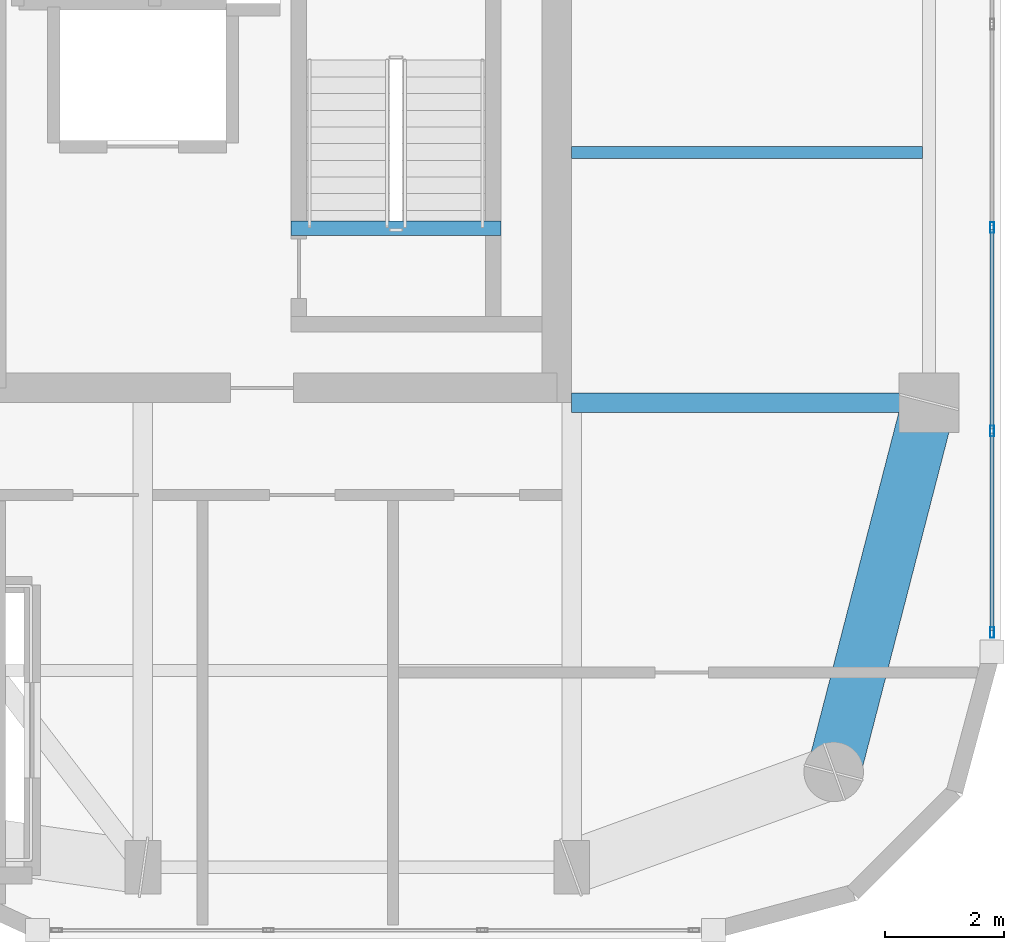
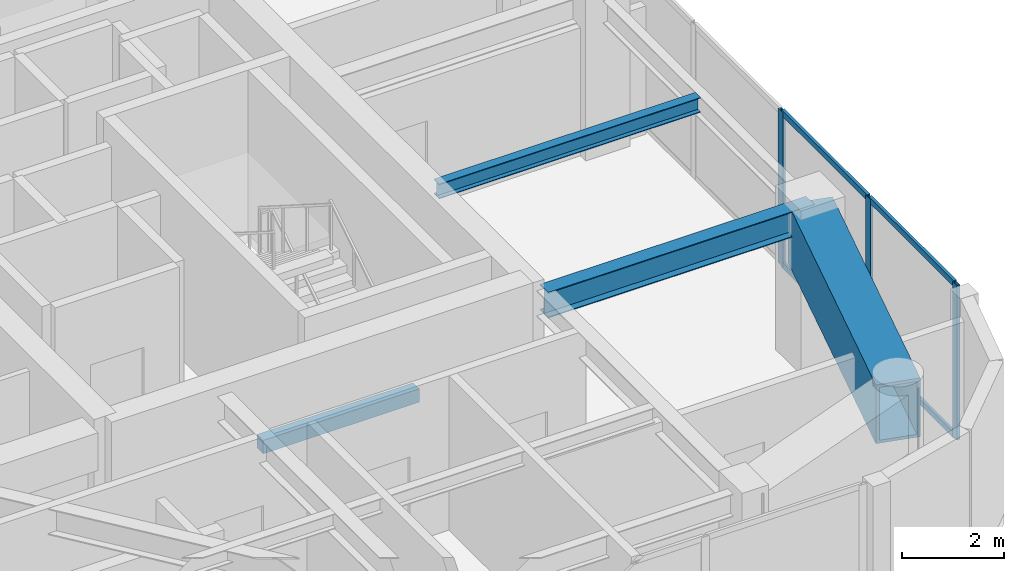
# One storey, part 5 of 16: 7 members, 4 beams, 1 element without a shape of its own.
"""IFC4 building model written with IfcOpenShell, lengths in metres."""

import ifcopenshell
import ifcopenshell.guid

model = None  # the IFC model being written
_history = None  # IfcOwnerHistory: only IFC2X3 demands one
_inside = {}  # id of a spatial element -> (the spatial element, [elements in it])
_under = {}  # id of a project, library or spatial element -> (it, [spatial elements below it])
_declared = {}  # id of a project -> (the project, [libraries it declares])
_typed = {}  # id of a type object -> (the type object, [elements of that type])
_made_of = {}  # id of a material, layer set ... -> (it, [elements and type objects made of it])


def new_model(schema):
    """Start an empty IFC model of exactly this schema.

    Asked for "IFC4X3", IfcOpenShell would pick the latest addendum, in which some entities
    have other attributes; the version numbers below select the first issue.
    IFC2X3 requires an IfcOwnerHistory on every rooted entity: one is made here for all.
    """
    global model, _history
    if schema == "IFC4X3":
        model = ifcopenshell.file(schema_version=(4, 3, 0, 0))
    else:
        model = ifcopenshell.file(schema=schema)
    _inside.clear()
    _under.clear()
    _declared.clear()
    _typed.clear()
    _made_of.clear()
    _history = None
    if model.schema == "IFC2X3":
        org = make("IfcOrganization", Name="unknown")
        user = make(
            "IfcPersonAndOrganization",
            ThePerson=make("IfcPerson", FamilyName="unknown"),
            TheOrganization=org,
        )
        app = make(
            "IfcApplication",
            ApplicationDeveloper=org,
            Version="unknown",
            ApplicationFullName="unknown",
            ApplicationIdentifier="unknown",
        )
        _history = make(
            "IfcOwnerHistory",
            OwningUser=user,
            OwningApplication=app,
            ChangeAction="ADDED",
            CreationDate=0,
        )
    return model


def make(cls, **values):
    """One entity of the class cls with the attributes given. An attribute that is None is left unset."""
    return model.create_entity(
        cls, **{name: value for name, value in values.items() if value is not None}
    )


def rooted(cls, **values):
    """An entity with a GlobalId (a new one), such as an element, a storey or a relation."""
    return make(cls, GlobalId=ifcopenshell.guid.new(), OwnerHistory=_history, **values)


def si_unit(unit_type, name, prefix=None):
    """IfcSIUnit, for example si_unit("LENGTHUNIT", "METRE", prefix="MILLI")."""
    return make("IfcSIUnit", UnitType=unit_type, Prefix=prefix, Name=name)


def assignment(units):
    """IfcUnitAssignment: the units of a project."""
    return None if units is None else make("IfcUnitAssignment", Units=units)


def point(xyz):
    """IfcCartesianPoint."""
    return None if xyz is None else make("IfcCartesianPoint", Coordinates=xyz)


def direction(xyz):
    """IfcDirection."""
    return None if xyz is None else make("IfcDirection", DirectionRatios=xyz)


def frame(location, z_axis=None, x_axis=None):
    """IfcAxis2Placement3D, a coordinate frame: its origin and axes. An axis left out is left unset."""
    return make(
        "IfcAxis2Placement3D",
        Location=point(location),
        Axis=direction(z_axis),
        RefDirection=direction(x_axis),
    )


def frame_2d(location, x_axis=None):
    """IfcAxis2Placement2D, a coordinate frame in the plane: its origin and x axis."""
    return make(
        "IfcAxis2Placement2D", Location=point(location), RefDirection=direction(x_axis)
    )


def origin():
    """The frame at (0, 0, 0) with its axes left unset."""
    return frame((0.0, 0.0, 0.0))


def origin_2d():
    """The frame at (0, 0) in the plane with its x axis left unset."""
    return frame_2d((0.0, 0.0))


def place(relative_to, where):
    """IfcLocalPlacement: puts the frame where relative to a parent placement (None: the world)."""
    return make(
        "IfcLocalPlacement", PlacementRelTo=relative_to, RelativePlacement=where
    )


def context(
    kind, dimensions, precision=None, world=None, true_north=None, identifier=None
):
    """IfcGeometricRepresentationContext, for example the 3D "Model" context."""
    return make(
        "IfcGeometricRepresentationContext",
        ContextIdentifier=identifier,
        ContextType=kind,
        CoordinateSpaceDimension=dimensions,
        Precision=precision,
        WorldCoordinateSystem=world,
        TrueNorth=true_north,
    )


def subcontext(parent, identifier, kind, view, scale=None):
    """IfcGeometricRepresentationSubContext, for example "Body" below "Model"."""
    return make(
        "IfcGeometricRepresentationSubContext",
        ContextIdentifier=identifier,
        ContextType=kind,
        ParentContext=parent,
        TargetScale=scale,
        TargetView=view,
    )


def project(units=None, contexts=None):
    """IfcProject with its units and contexts."""
    return rooted(
        "IfcProject",
        Name="project",
        RepresentationContexts=contexts,
        UnitsInContext=assignment(units),
    )


def spatial(cls, under=None, at=None, **own):
    """A site, building, storey or space (cls), placed at a placement, below another one or the project."""
    s = rooted(cls, ObjectPlacement=at, **own)
    if under is not None:
        _under.setdefault(under.id(), (under, []))[1].append(s)
    return s


def profile(cls, at=None, kind="AREA", **sizes):
    """A parametric profile (cls). Its sizes go by their IFC names, for example OverallWidth=200.0."""
    return make(cls, ProfileType=kind, Position=at, **sizes)


def rectangle(**sizes):
    """IfcRectangleProfileDef."""
    return profile("IfcRectangleProfileDef", **sizes)


def hollow_rectangle(**sizes):
    """IfcRectangleHollowProfileDef."""
    return profile("IfcRectangleHollowProfileDef", **sizes)


def i_section(**sizes):
    """IfcIShapeProfileDef."""
    return profile("IfcIShapeProfileDef", **sizes)


def extrude(swept, where, along, depth):
    """IfcExtrudedAreaSolid: the profile swept, set in the frame where, extruded along a direction by depth."""
    return make(
        "IfcExtrudedAreaSolid",
        SweptArea=swept,
        Position=where,
        ExtrudedDirection=direction(along),
        Depth=depth,
    )


def shape(context_of_items, identifier, shape_type, items):
    """IfcShapeRepresentation: the items that make up one representation, for example the "Body"."""
    return make(
        "IfcShapeRepresentation",
        ContextOfItems=context_of_items,
        RepresentationIdentifier=identifier,
        RepresentationType=shape_type,
        Items=items,
    )


def material(Name=None, Category=None):
    """IfcMaterial."""
    return make("IfcMaterial", Name=Name, Category=Category)


def layer(
    of_material, thickness, ventilated=None, Name=None, Category=None, Priority=None
):
    """IfcMaterialLayer: one layer of a wall or slab, of a material (None: an air gap)."""
    return make(
        "IfcMaterialLayer",
        Material=of_material,
        LayerThickness=thickness,
        IsVentilated=ventilated,
        Name=Name,
        Category=Category,
        Priority=Priority,
    )


def layer_set(layers, Name=None):
    """IfcMaterialLayerSet."""
    return make("IfcMaterialLayerSet", MaterialLayers=layers, LayerSetName=Name)


def material_profile(
    of_material, cross_section, Name=None, Category=None, Priority=None
):
    """IfcMaterialProfile: a cross section and its material."""
    return make(
        "IfcMaterialProfile",
        Name=Name,
        Material=of_material,
        Profile=cross_section,
        Priority=Priority,
        Category=Category,
    )


def profile_set(profiles, Name=None, composite=None):
    """IfcMaterialProfileSet."""
    return make(
        "IfcMaterialProfileSet",
        Name=Name,
        MaterialProfiles=profiles,
        CompositeProfile=composite,
    )


def made_of(thing, what):
    """Note that an element or type object is made of a material, layer set ...; save() writes the relation."""
    if what is not None:
        _made_of.setdefault(what.id(), (what, []))[1].append(thing)
    return thing


def type_object(cls, material=None, **own):
    """A type object (cls), such as IfcWallType, which elements share."""
    return made_of(rooted(cls, **own), material)


def element(
    cls,
    number,
    at=None,
    inside=None,
    cuts=None,
    type_object=None,
    material=None,
    context=None,
    identifier="Body",
    shape_type=None,
    held_by="IfcProductDefinitionShape",
    body=None,
    shapes=None,
    **own,
):
    """One element of the class cls, such as IfcWall. Its Tag is "e" and its number.

    at: its placement. inside: the storey or other place that contains it. cuts: it is an
    opening in that element (IfcRelVoidsElement). A single representation is given by context,
    identifier, shape_type and body (its items); several are given by shapes. held_by: the class
    of the entity that holds the representations. save() writes the other relations.
    """
    e = rooted(cls, Tag="e%d" % number, ObjectPlacement=at, **own)
    if body is not None:
        shapes = [shape(context, identifier, shape_type, body)]
    if shapes is not None:
        e.Representation = make(held_by, Representations=shapes)
    if inside is not None:
        _inside.setdefault(inside.id(), (inside, []))[1].append(e)
    if cuts is not None:
        rooted(
            "IfcRelVoidsElement", RelatingBuildingElement=cuts, RelatedOpeningElement=e
        )
    if type_object is not None:
        _typed.setdefault(type_object.id(), (type_object, []))[1].append(e)
    return made_of(e, material)


def aggregate(whole, parts):
    """IfcRelAggregates: a whole, such as a stair, and the parts it consists of."""
    return rooted("IfcRelAggregates", RelatingObject=whole, RelatedObjects=parts)


def save(model, path):
    """Write the relations noted so far, then the file.

    IfcRelAggregates (storeys below a building ...), IfcRelContainedInSpatialStructure (elements
    in a storey), IfcRelDefinesByType, IfcRelAssociatesMaterial and IfcRelDeclares: one each for
    every whole, place, type object, material and project.
    """
    for whole, parts in _under.values():
        aggregate(whole, parts)
    for where, things in _inside.values():
        rooted(
            "IfcRelContainedInSpatialStructure",
            RelatedElements=things,
            RelatingStructure=where,
        )
    for kind, things in _typed.values():
        rooted("IfcRelDefinesByType", RelatedObjects=things, RelatingType=kind)
    for what, things in _made_of.values():
        rooted("IfcRelAssociatesMaterial", RelatedObjects=things, RelatingMaterial=what)
    for by, libraries in _declared.values():
        rooted("IfcRelDeclares", RelatingContext=by, RelatedDefinitions=libraries)
    model.write(path)


model = new_model("IFC4")

# Units and contexts
model_context = context("Model", 3, precision=1e-05, world=origin(), true_north=direction((0.0, 1.0)))
body_context = subcontext(model_context, "Body", "Model", "MODEL_VIEW")
ifc_project = project(units=[si_unit("LENGTHUNIT", "METRE"), si_unit("AREAUNIT", "SQUARE_METRE"), si_unit("VOLUMEUNIT", "CUBIC_METRE"), si_unit("PLANEANGLEUNIT", "RADIAN"), si_unit("MASSUNIT", "GRAM", prefix="KILO")], contexts=[model_context])

# Site, building, storey
site_placement = place(None, origin())
site = spatial("IfcSite", under=ifc_project, at=site_placement, CompositionType="ELEMENT")
building_placement = place(site_placement, origin())
building = spatial("IfcBuilding", under=site, at=building_placement, Name="Kiyonajd Concourse Tower", CompositionType="ELEMENT")
storey_placement = place(building_placement, frame((0.0, 0.0, 298.5)))
storey = spatial("IfcBuildingStorey", under=building, at=storey_placement, Name="L75", CompositionType="ELEMENT", Elevation=298.5)

# Beams
ifc_material_1 = material(Name="Steel ASTM A992 Grade 50", Category="steel")
ifc_material_profile_1 = material_profile(ifc_material_1, i_section(OverallWidth=0.205078125, OverallDepth=0.35400390625, WebThickness=0.009521484375, FlangeThickness=0.016845703125, at=origin_2d()), Name="W360X79")
ifc_profile_set_1 = profile_set([ifc_material_profile_1], Name="Steel ASTM A992 Grade 50")
beam_type_1 = type_object("IfcBeamType", Name="BM-JST-360", PredefinedType="JOIST", material=ifc_profile_set_1)
beam_1_placement = place(storey_placement, frame((63.60009765625, 31.800048828125, 3.5029296875), z_axis=(1.0, 0.0, 0.0), x_axis=(0.0, 1.0, 0.0)))
element("IfcBeam", 1, at=beam_1_placement, inside=storey, type_object=beam_type_1, Name="L75 East Secondary Floor Joist", PredefinedType="JOIST", context=body_context, shape_type="SweptSolid", body=[
    extrude(i_section(OverallWidth=0.205078125, OverallDepth=0.35400390625, WebThickness=0.009521484375, FlangeThickness=0.016845703125, at=origin_2d()), origin(), (0.0, 0.0, 1.0), 5.894287109375),
])
ifc_material_2 = material(Name="Concrete C50/60", Category="concrete")
ifc_material_profile_2 = material_profile(ifc_material_2, rectangle(XDim=0.239990234375, YDim=0.320068359375, at=origin_2d()), Name="RCBM-240x320")
ifc_profile_set_2 = profile_set([ifc_material_profile_2], Name="Concrete C50/60")
beam_type_2 = type_object("IfcBeamType", Name="BM-LNT-250", PredefinedType="LINTEL", material=ifc_profile_set_2)
beam_2_placement = place(storey_placement, frame((58.889892578125, 30.530029296875, -0.159912109375), z_axis=(1.0, 0.0, 0.0), x_axis=(0.0, 1.0, 0.0)))
element("IfcBeam", 2, at=beam_2_placement, inside=storey, type_object=beam_type_2, Name="L75 Stair ST2 Threshold Support Beam", PredefinedType="LINTEL", context=body_context, shape_type="SweptSolid", body=[
    extrude(rectangle(XDim=0.239990234375, YDim=0.320068359375, at=origin_2d()), origin(), (0.0, 0.0, 1.0), 3.52001953125),
])
ifc_material_profile_3 = material_profile(ifc_material_1, i_section(OverallWidth=0.323974609375, OverallDepth=0.611083984375, WebThickness=0.0126953125, FlangeThickness=0.01904296875, at=origin_2d()), Name="W610X155")
ifc_profile_set_3 = profile_set([ifc_material_profile_3], Name="Steel ASTM A992 Grade 50")
beam_type_3 = type_object("IfcBeamType", Name="BM-TWR-610B", PredefinedType="BEAM", material=ifc_profile_set_3)
beam_3_placement = place(storey_placement, frame((63.60009765625, 27.60009765625, 3.37451171875), z_axis=(1.0, 0.0, 0.0), x_axis=(0.0, 1.0, 0.0)))
element("IfcBeam", 3, at=beam_3_placement, inside=storey, type_object=beam_type_3, Name="L75 East Lease Girder", PredefinedType="BEAM", context=body_context, shape_type="SweptSolid", body=[
    extrude(i_section(OverallWidth=0.323974609375, OverallDepth=0.611083984375, WebThickness=0.0126953125, FlangeThickness=0.01904296875, at=origin_2d()), origin(), (0.0, 0.0, 1.0), 6.0),
])
ifc_material_3 = material(Name="Steel ASTM A572 Grade 50", Category="steel")
ifc_material_profile_4 = material_profile(ifc_material_3, hollow_rectangle(XDim=0.89990234375, YDim=1.39990234375, WallThickness=0.070068359375, at=origin_2d()), Name="BOX-1400x900x70")
ifc_profile_set_4 = profile_set([ifc_material_profile_4], Name="Steel ASTM A572 Grade 50")
beam_type_4 = type_object("IfcBeamType", Name="BM-XFER-1400", PredefinedType="BEAM", material=ifc_profile_set_4)
beam_4_placement = place(storey_placement, frame((68.0, 21.39990234375, 2.97998046875), z_axis=(0.249884937687, 0.968275538221, 0.0), x_axis=(-0.968275538221, 0.249884937687, 0.0)))
element("IfcBeam", 4, at=beam_4_placement, inside=storey, type_object=beam_type_4, Name="L75 Perimeter Bundled Tube Spandrel", PredefinedType="BEAM", context=body_context, shape_type="SweptSolid", body=[
    extrude(hollow_rectangle(XDim=0.89990234375, YDim=1.39990234375, WallThickness=0.070068359375, at=origin_2d()), origin(), (0.0, 0.0, 1.0), 6.4033203125),
])

# Curtain wall, members
ifc_material_4 = material(Name="Thermally Broken Anodised Aluminium", Category="aluminium")
ifc_layer = layer(ifc_material_4, 0.179931640625)
ifc_layer_set = layer_set([ifc_layer], Name="Thermally Broken Anodised Aluminium")
curtain_wall_type = type_object("IfcCurtainWallType", Name="CW-SYS-04", PredefinedType="NOTDEFINED", material=ifc_layer_set)
curtain_wall_placement = place(storey_placement, origin())
curtain_wall = element("IfcCurtainWall", 5, at=curtain_wall_placement, inside=storey, type_object=curtain_wall_type, Name="L75 Unitised Curtain Wall CW4", PredefinedType="NOTDEFINED")
ifc_material_profile_5 = material_profile(ifc_material_4, hollow_rectangle(XDim=0.06494140625, YDim=0.179931640625, WallThickness=0.00390625, at=origin_2d()), Name="MULL-65x180")
ifc_profile_set_5 = profile_set([ifc_material_profile_5], Name="Thermally Broken Anodised Aluminium")
member_type_1 = type_object("IfcMemberType", Name="MB-CW-MULL1", PredefinedType="MULLION", material=ifc_profile_set_5)
member_1_placement = place(storey_placement, frame((70.659912109375, 30.539306640625, 0.0), z_axis=(0.0, 0.0, 1.0), x_axis=(1.0, 0.0, 0.0)))
member_1 = element("IfcMember", 6, at=member_1_placement, type_object=member_type_1, Name="CW4 mullion 3", PredefinedType="MULLION", context=body_context, shape_type="SweptSolid", body=[
    extrude(hollow_rectangle(XDim=0.06494140625, YDim=0.179931640625, WallThickness=0.00390625, at=origin_2d()), origin(), (0.0, 0.0, 1.0), 3.679931640625),
])
member_2_placement = place(storey_placement, frame((70.659912109375, 27.123779296875, 0.0), z_axis=(0.0, 0.0, 1.0), x_axis=(1.0, 0.0, 0.0)))
member_2 = element("IfcMember", 7, at=member_2_placement, type_object=member_type_1, Name="CW4 mullion 4", PredefinedType="MULLION", context=body_context, shape_type="SweptSolid", body=[
    extrude(hollow_rectangle(XDim=0.06494140625, YDim=0.179931640625, WallThickness=0.00390625, at=origin_2d()), origin(), (0.0, 0.0, 1.0), 3.679931640625),
])
member_3_placement = place(storey_placement, frame((70.659912109375, 23.740966796875, 0.0), z_axis=(0.0, 0.0, 1.0), x_axis=(1.0, 0.0, 0.0)))
member_3 = element("IfcMember", 8, at=member_3_placement, type_object=member_type_1, Name="CW4 mullion 5", PredefinedType="MULLION", context=body_context, shape_type="SweptSolid", body=[
    extrude(hollow_rectangle(XDim=0.06494140625, YDim=0.179931640625, WallThickness=0.00390625, at=origin_2d()), origin(), (0.0, 0.0, 1.0), 3.679931640625),
])
ifc_material_profile_6 = material_profile(ifc_material_4, hollow_rectangle(XDim=0.06494140625, YDim=0.139892578125, WallThickness=0.00390625, at=origin_2d()), Name="TRAN-65x140")
ifc_profile_set_6 = profile_set([ifc_material_profile_6], Name="Thermally Broken Anodised Aluminium")
member_type_2 = type_object("IfcMemberType", Name="MB-CW-TRAN1", PredefinedType="USERDEFINED", material=ifc_profile_set_6)
member_4_placement = place(storey_placement, frame((70.659912109375, 30.506591796875, 0.032470703125), z_axis=(0.0, -1.0, 0.0), x_axis=(1.0, 0.0, 0.0)))
member_4 = element("IfcMember", 9, at=member_4_placement, type_object=member_type_2, Name="CW4 transom 3.1", ObjectType="TRANSOM", PredefinedType="USERDEFINED", context=body_context, shape_type="SweptSolid", body=[
    extrude(hollow_rectangle(XDim=0.06494140625, YDim=0.139892578125, WallThickness=0.00390625, at=origin_2d()), origin(), (0.0, 0.0, 1.0), 3.350341796875),
])
member_5_placement = place(storey_placement, frame((70.659912109375, 30.506591796875, 3.6474609375), z_axis=(0.0, -1.0, 0.0), x_axis=(1.0, 0.0, 0.0)))
member_5 = element("IfcMember", 10, at=member_5_placement, type_object=member_type_2, Name="CW4 transom 3.2", ObjectType="TRANSOM", PredefinedType="USERDEFINED", context=body_context, shape_type="SweptSolid", body=[
    extrude(hollow_rectangle(XDim=0.06494140625, YDim=0.139892578125, WallThickness=0.00390625, at=origin_2d()), origin(), (0.0, 0.0, 1.0), 3.350341796875),
])
member_6_placement = place(storey_placement, frame((70.659912109375, 27.09130859375, 0.032470703125), z_axis=(0.0, -1.0, 0.0), x_axis=(1.0, 0.0, 0.0)))
member_6 = element("IfcMember", 11, at=member_6_placement, type_object=member_type_2, Name="CW4 transom 4.1", ObjectType="TRANSOM", PredefinedType="USERDEFINED", context=body_context, shape_type="SweptSolid", body=[
    extrude(hollow_rectangle(XDim=0.06494140625, YDim=0.139892578125, WallThickness=0.00390625, at=origin_2d()), origin(), (0.0, 0.0, 1.0), 3.31787109375),
])
member_7_placement = place(storey_placement, frame((70.659912109375, 27.09130859375, 3.6474609375), z_axis=(0.0, -1.0, 0.0), x_axis=(1.0, 0.0, 0.0)))
member_7 = element("IfcMember", 12, at=member_7_placement, type_object=member_type_2, Name="CW4 transom 4.2", ObjectType="TRANSOM", PredefinedType="USERDEFINED", context=body_context, shape_type="SweptSolid", body=[
    extrude(hollow_rectangle(XDim=0.06494140625, YDim=0.139892578125, WallThickness=0.00390625, at=origin_2d()), origin(), (0.0, 0.0, 1.0), 3.31787109375),
])
aggregate(curtain_wall, [member_1, member_2, member_3, member_4, member_5, member_6, member_7])

save(model, "model.ifc")
